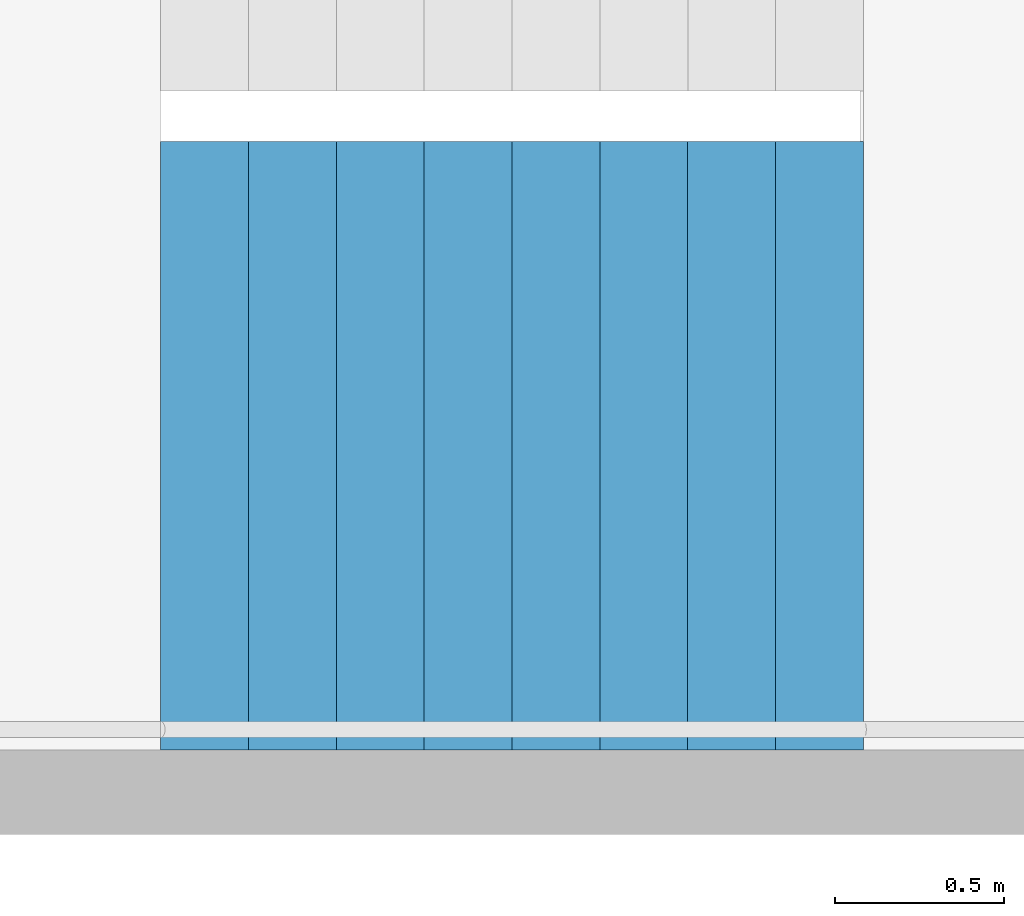
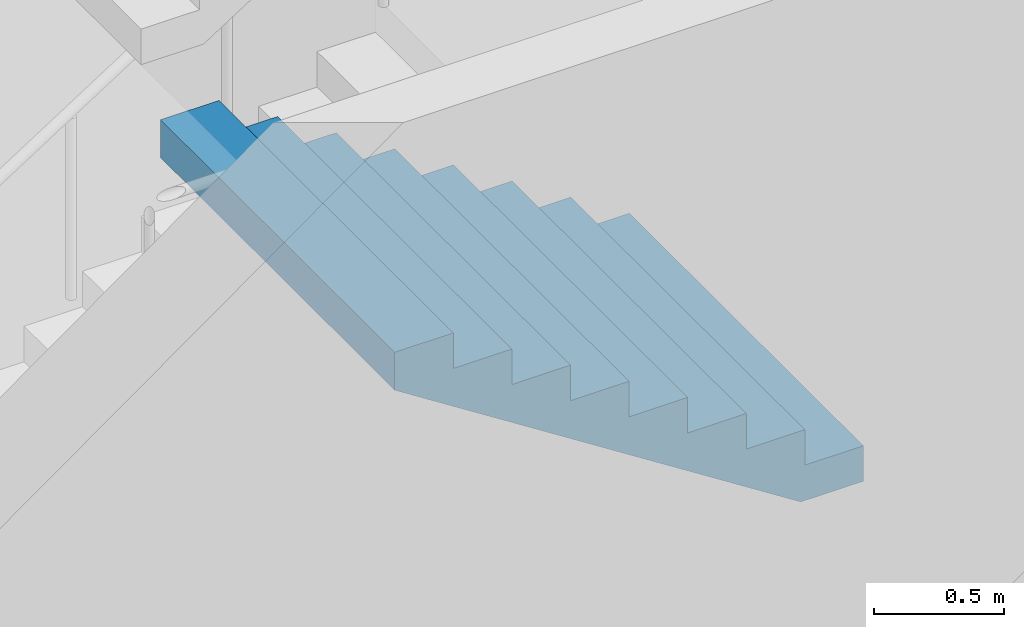
# One storey, part 67 of 100: 1 stair flight, 1 element without a shape of its own.
"""IFC4 building model written with IfcOpenShell, lengths in metres."""

from ifc_helpers import new_model, si_unit, direction, frame, origin, place, context, subcontext, project, spatial, triangles, material, type_object, element, aggregate, save


model = new_model("IFC4")

# Units and contexts
model_context = context("Model", 3, precision=1e-05, world=origin(), true_north=direction((0.0, 1.0)))
body_context = subcontext(model_context, "Body", "Model", "MODEL_VIEW")
ifc_project = project(units=[si_unit("LENGTHUNIT", "METRE"), si_unit("AREAUNIT", "SQUARE_METRE"), si_unit("VOLUMEUNIT", "CUBIC_METRE"), si_unit("PLANEANGLEUNIT", "RADIAN"), si_unit("MASSUNIT", "GRAM", prefix="KILO")], contexts=[model_context])

# Site, building, storey
site_placement = place(None, origin())
site = spatial("IfcSite", under=ifc_project, at=site_placement, CompositionType="ELEMENT")
building_placement = place(site_placement, origin())
building = spatial("IfcBuilding", under=site, at=building_placement, Name="Hakoniwa Tower and Hamabe Station Hall", CompositionType="ELEMENT")
storey_placement = place(building_placement, frame((0.0, 0.0, 9.0)))
storey = spatial("IfcBuildingStorey", under=building, at=storey_placement, Name="L02", CompositionType="ELEMENT", Elevation=9.0)

# Stair, stair flight
ifc_material_1 = material(Name="Concrete C40", Category="concrete")
stair_type = type_object("IfcStairType", Name="ESCAPE STAIR 1800", PredefinedType="HALF_TURN_STAIR", material=ifc_material_1)
stair_placement = place(storey_placement, origin())
stair = element("IfcStair", 1, at=stair_placement, inside=storey, type_object=stair_type, Name="Escape stair ST-3 L02", PredefinedType="HALF_TURN_STAIR")
ifc_material_2 = material(Name="Concrete C40", Category="concrete")
stair_flight_type = type_object("IfcStairFlightType", Name="STAIR FLIGHT 1800", PredefinedType="STRAIGHT", material=ifc_material_2)
stair_flight_placement = place(storey_placement, frame((24.39990234375, 4.64990234375, 3.0), z_axis=(0.0, 0.0, 1.0), x_axis=(-1.0, 0.0, 0.0)))
stair_flight = element("IfcStairFlight", 2, at=stair_flight_placement, type_object=stair_flight_type, Name="ST-3 flight 3", NumberOfRisers=9, NumberOfTreads=8, PredefinedType="STRAIGHT", RiserHeight=0.166666667, TreadLength=0.26, context=body_context, shape_type="Tessellation", body=[
    triangles([(0.0, 0.89990234375, 0.0), (0.260009765625, 0.89990234375, 0.0), (0.27783203125, 0.89990234375, 0.0), (0.52001953125, 0.89990234375, 0.1552734375), (0.780029296875, 0.89990234375, 0.322021484375), (1.0400390625, 0.89990234375, 0.488525390625), (1.300048828125, 0.89990234375, 0.6552734375), (1.56005859375, 0.89990234375, 0.822021484375), (1.820068359375, 0.89990234375, 0.988525390625), (2.080078125, 0.89990234375, 1.1552734375), (2.080078125, 0.89990234375, 1.333251953125), (1.820068359375, 0.89990234375, 1.333251953125), (1.820068359375, 0.89990234375, 1.166748046875), (1.56005859375, 0.89990234375, 1.166748046875), (1.56005859375, 0.89990234375, 1.0), (1.300048828125, 0.89990234375, 1.0), (1.300048828125, 0.89990234375, 0.833251953125), (1.0400390625, 0.89990234375, 0.833251953125), (1.0400390625, 0.89990234375, 0.666748046875), (0.780029296875, 0.89990234375, 0.666748046875), (0.780029296875, 0.89990234375, 0.5), (0.52001953125, 0.89990234375, 0.5), (0.52001953125, 0.89990234375, 0.333251953125), (0.27783203125, 0.89990234375, 0.333251953125), (0.260009765625, 0.89990234375, 0.333251953125), (0.260009765625, 0.89990234375, 0.166748046875), (0.0, 0.89990234375, 0.166748046875), (0.0, 0.06005859375, 0.0), (0.260009765625, 0.06005859375, 0.0), (0.27783203125, 0.06005859375, 0.0), (0.52001953125, 0.06005859375, 0.1552734375), (0.780029296875, 0.06005859375, 0.322021484375), (1.0400390625, 0.06005859375, 0.488525390625), (1.300048828125, 0.06005859375, 0.6552734375), (1.56005859375, 0.06005859375, 0.822021484375), (1.820068359375, 0.06005859375, 0.988525390625), (2.080078125, 0.06005859375, 1.1552734375), (2.080078125, 0.06005859375, 1.333251953125), (1.820068359375, 0.06005859375, 1.333251953125), (1.820068359375, 0.06005859375, 1.166748046875), (1.56005859375, 0.06005859375, 1.166748046875), (1.56005859375, 0.06005859375, 1.0), (1.300048828125, 0.06005859375, 1.0), (1.300048828125, 0.06005859375, 0.833251953125), (1.0400390625, 0.06005859375, 0.833251953125), (1.0400390625, 0.06005859375, 0.666748046875), (0.780029296875, 0.06005859375, 0.666748046875), (0.780029296875, 0.06005859375, 0.5), (0.52001953125, 0.06005859375, 0.5), (0.52001953125, 0.06005859375, 0.333251953125), (0.27783203125, 0.06005859375, 0.333251953125), (0.260009765625, 0.06005859375, 0.333251953125), (0.260009765625, 0.06005859375, 0.166748046875), (0.0, 0.06005859375, 0.166748046875), (0.0, 0.04296875, 0.0), (0.260009765625, 0.04296875, 0.0), (0.27783203125, 0.04296875, 0.0), (0.52001953125, 0.04296875, 0.1552734375), (0.780029296875, 0.04296875, 0.322021484375), (1.0400390625, 0.04296875, 0.488525390625), (1.300048828125, 0.04296875, 0.6552734375), (1.56005859375, 0.04296875, 0.822021484375), (1.820068359375, 0.04296875, 0.988525390625), (2.080078125, 0.04296875, 1.1552734375), (2.080078125, 0.04296875, 1.333251953125), (1.820068359375, 0.04296875, 1.333251953125), (1.820068359375, 0.04296875, 1.166748046875), (1.56005859375, 0.04296875, 1.166748046875), (1.56005859375, 0.04296875, 1.0), (1.300048828125, 0.04296875, 1.0), (1.300048828125, 0.04296875, 0.833251953125), (1.0400390625, 0.04296875, 0.833251953125), (1.0400390625, 0.04296875, 0.666748046875), (0.780029296875, 0.04296875, 0.666748046875), (0.780029296875, 0.04296875, 0.5), (0.52001953125, 0.04296875, 0.5), (0.52001953125, 0.04296875, 0.333251953125), (0.27783203125, 0.04296875, 0.333251953125), (0.260009765625, 0.04296875, 0.333251953125), (0.260009765625, 0.04296875, 0.166748046875), (0.0, 0.04296875, 0.166748046875), (0.0, 0.025634765625, 0.0), (0.260009765625, 0.025634765625, 0.0), (0.27783203125, 0.025634765625, 0.0), (0.52001953125, 0.025634765625, 0.1552734375), (0.780029296875, 0.025634765625, 0.322021484375), (1.0400390625, 0.025634765625, 0.488525390625), (1.300048828125, 0.025634765625, 0.6552734375), (1.56005859375, 0.025634765625, 0.822021484375), (1.820068359375, 0.025634765625, 0.988525390625), (2.080078125, 0.025634765625, 1.1552734375), (2.080078125, 0.025634765625, 1.333251953125), (1.820068359375, 0.025634765625, 1.333251953125), (1.820068359375, 0.025634765625, 1.166748046875), (1.56005859375, 0.025634765625, 1.166748046875), (1.56005859375, 0.025634765625, 1.0), (1.300048828125, 0.025634765625, 1.0), (1.300048828125, 0.025634765625, 0.833251953125), (1.0400390625, 0.025634765625, 0.833251953125), (1.0400390625, 0.025634765625, 0.666748046875), (0.780029296875, 0.025634765625, 0.666748046875), (0.780029296875, 0.025634765625, 0.5), (0.52001953125, 0.025634765625, 0.5), (0.52001953125, 0.025634765625, 0.333251953125), (0.27783203125, 0.025634765625, 0.333251953125), (0.260009765625, 0.025634765625, 0.333251953125), (0.260009765625, 0.025634765625, 0.166748046875), (0.0, 0.025634765625, 0.166748046875), (0.0, 0.008544921875, 0.0), (0.260009765625, 0.008544921875, 0.0), (0.27783203125, 0.008544921875, 0.0), (0.52001953125, 0.008544921875, 0.1552734375), (0.780029296875, 0.008544921875, 0.322021484375), (1.0400390625, 0.008544921875, 0.488525390625), (1.300048828125, 0.008544921875, 0.6552734375), (1.56005859375, 0.008544921875, 0.822021484375), (1.820068359375, 0.008544921875, 0.988525390625), (2.080078125, 0.008544921875, 1.1552734375), (2.080078125, 0.008544921875, 1.333251953125), (1.820068359375, 0.008544921875, 1.333251953125), (1.820068359375, 0.008544921875, 1.166748046875), (1.56005859375, 0.008544921875, 1.166748046875), (1.56005859375, 0.008544921875, 1.0), (1.300048828125, 0.008544921875, 1.0), (1.300048828125, 0.008544921875, 0.833251953125), (1.0400390625, 0.008544921875, 0.833251953125), (1.0400390625, 0.008544921875, 0.666748046875), (0.780029296875, 0.008544921875, 0.666748046875), (0.780029296875, 0.008544921875, 0.5), (0.52001953125, 0.008544921875, 0.5), (0.52001953125, 0.008544921875, 0.333251953125), (0.27783203125, 0.008544921875, 0.333251953125), (0.260009765625, 0.008544921875, 0.333251953125), (0.260009765625, 0.008544921875, 0.166748046875), (0.0, 0.008544921875, 0.166748046875), (0.0, -0.008544921875, 0.0), (0.260009765625, -0.008544921875, 0.0), (0.27783203125, -0.008544921875, 0.0), (0.52001953125, -0.008544921875, 0.1552734375), (0.780029296875, -0.008544921875, 0.322021484375), (1.0400390625, -0.008544921875, 0.488525390625), (1.300048828125, -0.008544921875, 0.6552734375), (1.56005859375, -0.008544921875, 0.822021484375), (1.820068359375, -0.008544921875, 0.988525390625), (2.080078125, -0.008544921875, 1.1552734375), (2.080078125, -0.008544921875, 1.333251953125), (1.820068359375, -0.008544921875, 1.333251953125), (1.820068359375, -0.008544921875, 1.166748046875), (1.56005859375, -0.008544921875, 1.166748046875), (1.56005859375, -0.008544921875, 1.0), (1.300048828125, -0.008544921875, 1.0), (1.300048828125, -0.008544921875, 0.833251953125), (1.0400390625, -0.008544921875, 0.833251953125), (1.0400390625, -0.008544921875, 0.666748046875), (0.780029296875, -0.008544921875, 0.666748046875), (0.780029296875, -0.008544921875, 0.5), (0.52001953125, -0.008544921875, 0.5), (0.52001953125, -0.008544921875, 0.333251953125), (0.27783203125, -0.008544921875, 0.333251953125), (0.260009765625, -0.008544921875, 0.333251953125), (0.260009765625, -0.008544921875, 0.166748046875), (0.0, -0.008544921875, 0.166748046875), (0.0, -0.025634765625, 0.0), (0.260009765625, -0.025634765625, 0.0), (0.27783203125, -0.025634765625, 0.0), (0.52001953125, -0.025634765625, 0.1552734375), (0.780029296875, -0.025634765625, 0.322021484375), (1.0400390625, -0.025634765625, 0.488525390625), (1.300048828125, -0.025634765625, 0.6552734375), (1.56005859375, -0.025634765625, 0.822021484375), (1.820068359375, -0.025634765625, 0.988525390625), (2.080078125, -0.025634765625, 1.1552734375), (2.080078125, -0.025634765625, 1.333251953125), (1.820068359375, -0.025634765625, 1.333251953125), (1.820068359375, -0.025634765625, 1.166748046875), (1.56005859375, -0.025634765625, 1.166748046875), (1.56005859375, -0.025634765625, 1.0), (1.300048828125, -0.025634765625, 1.0), (1.300048828125, -0.025634765625, 0.833251953125), (1.0400390625, -0.025634765625, 0.833251953125), (1.0400390625, -0.025634765625, 0.666748046875), (0.780029296875, -0.025634765625, 0.666748046875), (0.780029296875, -0.025634765625, 0.5), (0.52001953125, -0.025634765625, 0.5), (0.52001953125, -0.025634765625, 0.333251953125), (0.27783203125, -0.025634765625, 0.333251953125), (0.260009765625, -0.025634765625, 0.333251953125), (0.260009765625, -0.025634765625, 0.166748046875), (0.0, -0.025634765625, 0.166748046875), (0.0, -0.04296875, 0.0), (0.260009765625, -0.04296875, 0.0), (0.27783203125, -0.04296875, 0.0), (0.52001953125, -0.04296875, 0.1552734375), (0.780029296875, -0.04296875, 0.322021484375), (1.0400390625, -0.04296875, 0.488525390625), (1.300048828125, -0.04296875, 0.6552734375), (1.56005859375, -0.04296875, 0.822021484375), (1.820068359375, -0.04296875, 0.988525390625), (2.080078125, -0.04296875, 1.1552734375), (2.080078125, -0.04296875, 1.333251953125), (1.820068359375, -0.04296875, 1.333251953125), (1.820068359375, -0.04296875, 1.166748046875), (1.56005859375, -0.04296875, 1.166748046875), (1.56005859375, -0.04296875, 1.0), (1.300048828125, -0.04296875, 1.0), (1.300048828125, -0.04296875, 0.833251953125), (1.0400390625, -0.04296875, 0.833251953125), (1.0400390625, -0.04296875, 0.666748046875), (0.780029296875, -0.04296875, 0.666748046875), (0.780029296875, -0.04296875, 0.5), (0.52001953125, -0.04296875, 0.5), (0.52001953125, -0.04296875, 0.333251953125), (0.27783203125, -0.04296875, 0.333251953125), (0.260009765625, -0.04296875, 0.333251953125), (0.260009765625, -0.04296875, 0.166748046875), (0.0, -0.04296875, 0.166748046875), (0.0, -0.06005859375, 0.0), (0.260009765625, -0.06005859375, 0.0), (0.27783203125, -0.06005859375, 0.0), (0.52001953125, -0.06005859375, 0.1552734375), (0.780029296875, -0.06005859375, 0.322021484375), (1.0400390625, -0.06005859375, 0.488525390625), (1.300048828125, -0.06005859375, 0.6552734375), (1.56005859375, -0.06005859375, 0.822021484375), (1.820068359375, -0.06005859375, 0.988525390625), (2.080078125, -0.06005859375, 1.1552734375), (2.080078125, -0.06005859375, 1.333251953125), (1.820068359375, -0.06005859375, 1.333251953125), (1.820068359375, -0.06005859375, 1.166748046875), (1.56005859375, -0.06005859375, 1.166748046875), (1.56005859375, -0.06005859375, 1.0), (1.300048828125, -0.06005859375, 1.0), (1.300048828125, -0.06005859375, 0.833251953125), (1.0400390625, -0.06005859375, 0.833251953125), (1.0400390625, -0.06005859375, 0.666748046875), (0.780029296875, -0.06005859375, 0.666748046875), (0.780029296875, -0.06005859375, 0.5), (0.52001953125, -0.06005859375, 0.5), (0.52001953125, -0.06005859375, 0.333251953125), (0.27783203125, -0.06005859375, 0.333251953125), (0.260009765625, -0.06005859375, 0.333251953125), (0.260009765625, -0.06005859375, 0.166748046875), (0.0, -0.06005859375, 0.166748046875), (0.0, -0.89990234375, 0.0), (0.260009765625, -0.89990234375, 0.0), (0.27783203125, -0.89990234375, 0.0), (0.52001953125, -0.89990234375, 0.1552734375), (0.780029296875, -0.89990234375, 0.322021484375), (1.0400390625, -0.89990234375, 0.488525390625), (1.300048828125, -0.89990234375, 0.6552734375), (1.56005859375, -0.89990234375, 0.822021484375), (1.820068359375, -0.89990234375, 0.988525390625), (2.080078125, -0.89990234375, 1.1552734375), (2.080078125, -0.89990234375, 1.333251953125), (1.820068359375, -0.89990234375, 1.333251953125), (1.820068359375, -0.89990234375, 1.166748046875), (1.56005859375, -0.89990234375, 1.166748046875), (1.56005859375, -0.89990234375, 1.0), (1.300048828125, -0.89990234375, 1.0), (1.300048828125, -0.89990234375, 0.833251953125), (1.0400390625, -0.89990234375, 0.833251953125), (1.0400390625, -0.89990234375, 0.666748046875), (0.780029296875, -0.89990234375, 0.666748046875), (0.780029296875, -0.89990234375, 0.5), (0.52001953125, -0.89990234375, 0.5), (0.52001953125, -0.89990234375, 0.333251953125), (0.27783203125, -0.89990234375, 0.333251953125), (0.260009765625, -0.89990234375, 0.333251953125), (0.260009765625, -0.89990234375, 0.166748046875), (0.0, -0.89990234375, 0.166748046875)], [[2, 27, 26], [245, 269, 270], [2, 1, 27], [245, 270, 244], [3, 25, 24], [246, 267, 268], [3, 26, 25], [246, 268, 269], [3, 2, 26], [246, 269, 245], [4, 24, 23], [247, 266, 267], [4, 3, 24], [247, 267, 246], [5, 22, 21], [248, 264, 265], [5, 23, 22], [248, 265, 266], [5, 4, 23], [248, 266, 247], [6, 20, 19], [249, 262, 263], [6, 21, 20], [249, 263, 264], [6, 5, 21], [249, 264, 248], [7, 18, 17], [250, 260, 261], [7, 19, 18], [250, 261, 262], [7, 6, 19], [250, 262, 249], [8, 16, 15], [251, 258, 259], [8, 17, 16], [251, 259, 260], [8, 7, 17], [251, 260, 250], [9, 14, 13], [252, 256, 257], [9, 15, 14], [252, 257, 258], [9, 8, 15], [252, 258, 251], [10, 12, 11], [253, 254, 255], [10, 13, 12], [253, 255, 256], [10, 9, 13], [253, 256, 252], [1, 2, 29], [1, 29, 28], [28, 29, 56], [28, 56, 55], [55, 56, 83], [55, 83, 82], [82, 83, 110], [82, 110, 109], [109, 110, 137], [109, 137, 136], [136, 137, 164], [136, 164, 163], [163, 164, 191], [163, 191, 190], [190, 191, 218], [190, 218, 217], [217, 218, 245], [217, 245, 244], [2, 3, 30], [2, 30, 29], [29, 30, 57], [29, 57, 56], [56, 57, 84], [56, 84, 83], [83, 84, 111], [83, 111, 110], [110, 111, 138], [110, 138, 137], [137, 138, 165], [137, 165, 164], [164, 165, 192], [164, 192, 191], [191, 192, 219], [191, 219, 218], [218, 219, 246], [218, 246, 245], [3, 4, 31], [3, 31, 30], [30, 31, 58], [30, 58, 57], [57, 58, 85], [57, 85, 84], [84, 85, 112], [84, 112, 111], [111, 112, 139], [111, 139, 138], [138, 139, 166], [138, 166, 165], [165, 166, 193], [165, 193, 192], [192, 193, 220], [192, 220, 219], [219, 220, 247], [219, 247, 246], [4, 5, 32], [4, 32, 31], [31, 32, 59], [31, 59, 58], [58, 59, 86], [58, 86, 85], [85, 86, 113], [85, 113, 112], [112, 113, 140], [112, 140, 139], [139, 140, 167], [139, 167, 166], [166, 167, 194], [166, 194, 193], [193, 194, 221], [193, 221, 220], [220, 221, 248], [220, 248, 247], [5, 6, 33], [5, 33, 32], [32, 33, 60], [32, 60, 59], [59, 60, 87], [59, 87, 86], [86, 87, 114], [86, 114, 113], [113, 114, 141], [113, 141, 140], [140, 141, 168], [140, 168, 167], [167, 168, 195], [167, 195, 194], [194, 195, 222], [194, 222, 221], [221, 222, 249], [221, 249, 248], [6, 7, 34], [6, 34, 33], [33, 34, 61], [33, 61, 60], [60, 61, 88], [60, 88, 87], [87, 88, 115], [87, 115, 114], [114, 115, 142], [114, 142, 141], [141, 142, 169], [141, 169, 168], [168, 169, 196], [168, 196, 195], [195, 196, 223], [195, 223, 222], [222, 223, 250], [222, 250, 249], [7, 8, 35], [7, 35, 34], [34, 35, 62], [34, 62, 61], [61, 62, 89], [61, 89, 88], [88, 89, 116], [88, 116, 115], [115, 116, 143], [115, 143, 142], [142, 143, 170], [142, 170, 169], [169, 170, 197], [169, 197, 196], [196, 197, 224], [196, 224, 223], [223, 224, 251], [223, 251, 250], [8, 9, 36], [8, 36, 35], [35, 36, 63], [35, 63, 62], [62, 63, 90], [62, 90, 89], [89, 90, 117], [89, 117, 116], [116, 117, 144], [116, 144, 143], [143, 144, 171], [143, 171, 170], [170, 171, 198], [170, 198, 197], [197, 198, 225], [197, 225, 224], [224, 225, 252], [224, 252, 251], [9, 10, 37], [9, 37, 36], [36, 37, 64], [36, 64, 63], [63, 64, 91], [63, 91, 90], [90, 91, 118], [90, 118, 117], [117, 118, 145], [117, 145, 144], [144, 145, 172], [144, 172, 171], [171, 172, 199], [171, 199, 198], [198, 199, 226], [198, 226, 225], [225, 226, 253], [225, 253, 252], [10, 11, 38], [10, 38, 37], [37, 38, 65], [37, 65, 64], [64, 65, 92], [64, 92, 91], [91, 92, 119], [91, 119, 118], [118, 119, 146], [118, 146, 145], [145, 146, 173], [145, 173, 172], [172, 173, 200], [172, 200, 199], [199, 200, 227], [199, 227, 226], [226, 227, 254], [226, 254, 253], [11, 12, 39], [11, 39, 38], [38, 39, 66], [38, 66, 65], [65, 66, 93], [65, 93, 92], [92, 93, 120], [92, 120, 119], [119, 120, 147], [119, 147, 146], [146, 147, 174], [146, 174, 173], [173, 174, 201], [173, 201, 200], [200, 201, 228], [200, 228, 227], [227, 228, 255], [227, 255, 254], [12, 13, 40], [12, 40, 39], [39, 40, 67], [39, 67, 66], [66, 67, 94], [66, 94, 93], [93, 94, 121], [93, 121, 120], [120, 121, 148], [120, 148, 147], [147, 148, 175], [147, 175, 174], [174, 175, 202], [174, 202, 201], [201, 202, 229], [201, 229, 228], [228, 229, 256], [228, 256, 255], [13, 14, 41], [13, 41, 40], [40, 41, 68], [40, 68, 67], [67, 68, 95], [67, 95, 94], [94, 95, 122], [94, 122, 121], [121, 122, 149], [121, 149, 148], [148, 149, 176], [148, 176, 175], [175, 176, 203], [175, 203, 202], [202, 203, 230], [202, 230, 229], [229, 230, 257], [229, 257, 256], [14, 15, 42], [14, 42, 41], [41, 42, 69], [41, 69, 68], [68, 69, 96], [68, 96, 95], [95, 96, 123], [95, 123, 122], [122, 123, 150], [122, 150, 149], [149, 150, 177], [149, 177, 176], [176, 177, 204], [176, 204, 203], [203, 204, 231], [203, 231, 230], [230, 231, 258], [230, 258, 257], [15, 16, 43], [15, 43, 42], [42, 43, 70], [42, 70, 69], [69, 70, 97], [69, 97, 96], [96, 97, 124], [96, 124, 123], [123, 124, 151], [123, 151, 150], [150, 151, 178], [150, 178, 177], [177, 178, 205], [177, 205, 204], [204, 205, 232], [204, 232, 231], [231, 232, 259], [231, 259, 258], [16, 17, 44], [16, 44, 43], [43, 44, 71], [43, 71, 70], [70, 71, 98], [70, 98, 97], [97, 98, 125], [97, 125, 124], [124, 125, 152], [124, 152, 151], [151, 152, 179], [151, 179, 178], [178, 179, 206], [178, 206, 205], [205, 206, 233], [205, 233, 232], [232, 233, 260], [232, 260, 259], [17, 18, 45], [17, 45, 44], [44, 45, 72], [44, 72, 71], [71, 72, 99], [71, 99, 98], [98, 99, 126], [98, 126, 125], [125, 126, 153], [125, 153, 152], [152, 153, 180], [152, 180, 179], [179, 180, 207], [179, 207, 206], [206, 207, 234], [206, 234, 233], [233, 234, 261], [233, 261, 260], [18, 19, 46], [18, 46, 45], [45, 46, 73], [45, 73, 72], [72, 73, 100], [72, 100, 99], [99, 100, 127], [99, 127, 126], [126, 127, 154], [126, 154, 153], [153, 154, 181], [153, 181, 180], [180, 181, 208], [180, 208, 207], [207, 208, 235], [207, 235, 234], [234, 235, 262], [234, 262, 261], [19, 20, 47], [19, 47, 46], [46, 47, 74], [46, 74, 73], [73, 74, 101], [73, 101, 100], [100, 101, 128], [100, 128, 127], [127, 128, 155], [127, 155, 154], [154, 155, 182], [154, 182, 181], [181, 182, 209], [181, 209, 208], [208, 209, 236], [208, 236, 235], [235, 236, 263], [235, 263, 262], [20, 21, 48], [20, 48, 47], [47, 48, 75], [47, 75, 74], [74, 75, 102], [74, 102, 101], [101, 102, 129], [101, 129, 128], [128, 129, 156], [128, 156, 155], [155, 156, 183], [155, 183, 182], [182, 183, 210], [182, 210, 209], [209, 210, 237], [209, 237, 236], [236, 237, 264], [236, 264, 263], [21, 22, 49], [21, 49, 48], [48, 49, 76], [48, 76, 75], [75, 76, 103], [75, 103, 102], [102, 103, 130], [102, 130, 129], [129, 130, 157], [129, 157, 156], [156, 157, 184], [156, 184, 183], [183, 184, 211], [183, 211, 210], [210, 211, 238], [210, 238, 237], [237, 238, 265], [237, 265, 264], [22, 23, 50], [22, 50, 49], [49, 50, 77], [49, 77, 76], [76, 77, 104], [76, 104, 103], [103, 104, 131], [103, 131, 130], [130, 131, 158], [130, 158, 157], [157, 158, 185], [157, 185, 184], [184, 185, 212], [184, 212, 211], [211, 212, 239], [211, 239, 238], [238, 239, 266], [238, 266, 265], [23, 24, 51], [23, 51, 50], [50, 51, 78], [50, 78, 77], [77, 78, 105], [77, 105, 104], [104, 105, 132], [104, 132, 131], [131, 132, 159], [131, 159, 158], [158, 159, 186], [158, 186, 185], [185, 186, 213], [185, 213, 212], [212, 213, 240], [212, 240, 239], [239, 240, 267], [239, 267, 266], [24, 25, 52], [24, 52, 51], [51, 52, 79], [51, 79, 78], [78, 79, 106], [78, 106, 105], [105, 106, 133], [105, 133, 132], [132, 133, 160], [132, 160, 159], [159, 160, 187], [159, 187, 186], [186, 187, 214], [186, 214, 213], [213, 214, 241], [213, 241, 240], [240, 241, 268], [240, 268, 267], [25, 26, 53], [25, 53, 52], [52, 53, 80], [52, 80, 79], [79, 80, 107], [79, 107, 106], [106, 107, 134], [106, 134, 133], [133, 134, 161], [133, 161, 160], [160, 161, 188], [160, 188, 187], [187, 188, 215], [187, 215, 214], [214, 215, 242], [214, 242, 241], [241, 242, 269], [241, 269, 268], [26, 27, 54], [26, 54, 53], [53, 54, 81], [53, 81, 80], [80, 81, 108], [80, 108, 107], [107, 108, 135], [107, 135, 134], [134, 135, 162], [134, 162, 161], [161, 162, 189], [161, 189, 188], [188, 189, 216], [188, 216, 215], [215, 216, 243], [215, 243, 242], [242, 243, 270], [242, 270, 269], [27, 1, 28], [27, 28, 54], [54, 28, 55], [54, 55, 81], [81, 55, 82], [81, 82, 108], [108, 82, 109], [108, 109, 135], [135, 109, 136], [135, 136, 162], [162, 136, 163], [162, 163, 189], [189, 163, 190], [189, 190, 216], [216, 190, 217], [216, 217, 243], [243, 217, 244], [243, 244, 270]], closed=True),
])
aggregate(stair, [stair_flight])

save(model, "model.ifc")
